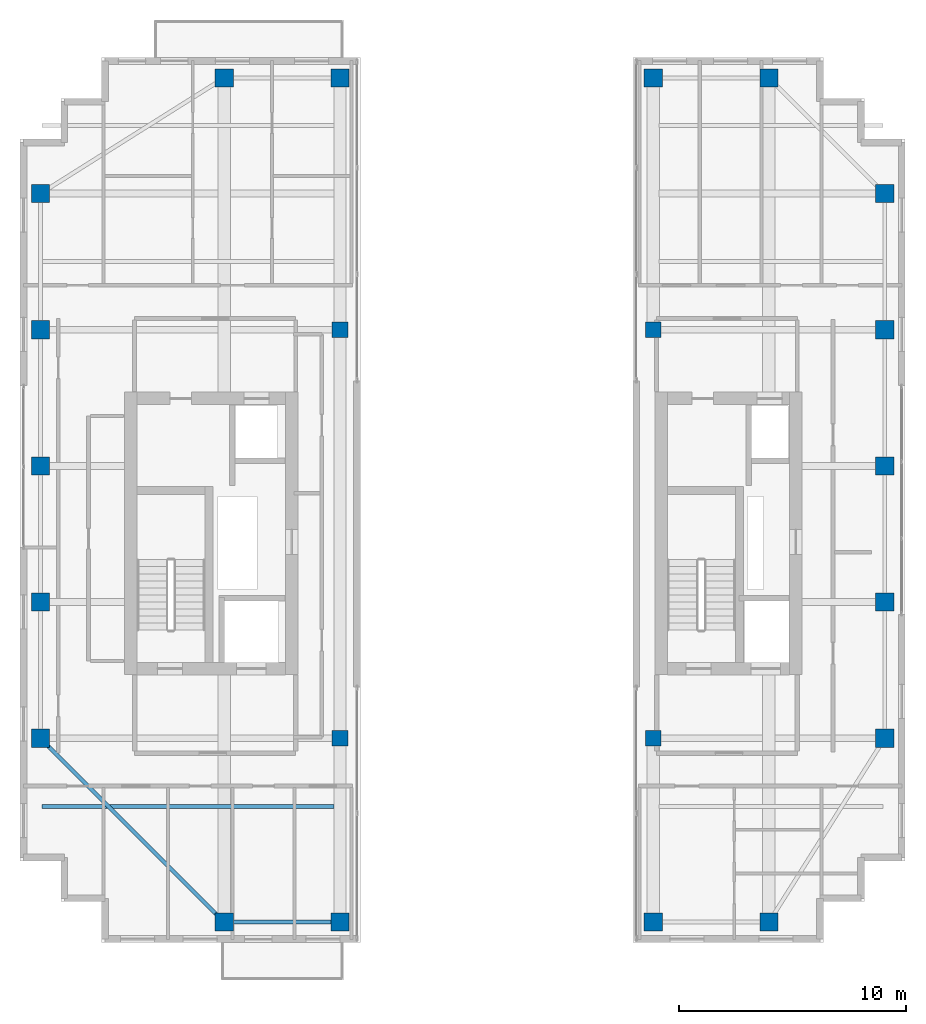
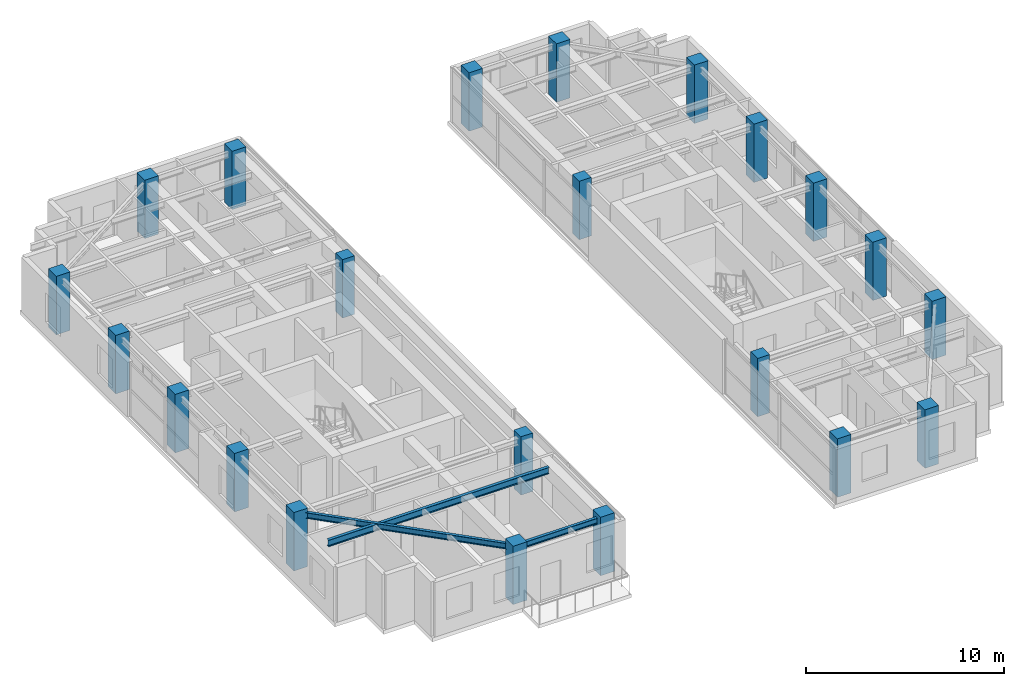
# One storey, part 1 of 22: 22 columns, 3 beams.
"""IFC4 building model written with IfcOpenShell, lengths in metres."""

from ifc_helpers import new_model, si_unit, direction, frame, origin, origin_2d, place, context, subcontext, project, spatial, rectangle, i_section, extrude, source, transform, mapped, material, material_profile, profile_set, type_object, element, save


model = new_model("IFC4")

# Units and contexts
model_context = context("Model", 3, precision=1e-05, world=origin(), true_north=direction((0.0, 1.0)))
body_context = subcontext(model_context, "Body", "Model", "MODEL_VIEW")
ifc_project = project(units=[si_unit("LENGTHUNIT", "METRE"), si_unit("AREAUNIT", "SQUARE_METRE"), si_unit("VOLUMEUNIT", "CUBIC_METRE"), si_unit("PLANEANGLEUNIT", "RADIAN"), si_unit("MASSUNIT", "GRAM", prefix="KILO")], contexts=[model_context])

# Site, building, storey
site_placement = place(None, origin())
site = spatial("IfcSite", under=ifc_project, at=site_placement, CompositionType="ELEMENT")
building_placement = place(site_placement, origin())
building = spatial("IfcBuilding", under=site, at=building_placement, Name="Khoralis Quay Care Tower", CompositionType="ELEMENT")
storey_placement = place(building_placement, frame((0.0, 0.0, 260.10009765625)))
storey = spatial("IfcBuildingStorey", under=building, at=storey_placement, Name="L68", CompositionType="ELEMENT", Elevation=260.10009765625)

# Columns
ifc_material_1 = material(Name="Concrete C50/60", Category="concrete")
ifc_material_profile_1 = material_profile(ifc_material_1, rectangle(XDim=0.800048828125, YDim=0.800048828125, at=origin_2d()), Name="Concrete C50/60")
ifc_profile_set_1 = profile_set([ifc_material_profile_1], Name="Concrete C50/60")
column_type_1 = type_object("IfcColumnType", Name="COL-C800", PredefinedType="COLUMN", material=ifc_profile_set_1)
shared_shape_1 = source(origin(), body_context, "Body", "SweptSolid", [
    extrude(rectangle(XDim=0.800048828125, YDim=0.800048828125, at=origin_2d()), origin(), (0.0, 0.0, 1.0), 3.599853515625),
])
for number, where, z_axis, x_axis, name in (
    (1, (12.0, 3.89990234375, 0.0), (0.0, 0.0, 1.0), (1.0, 0.0, 0.0), "COL-TWR-L68-01"),
    (2, (12.0, 41.10009765625, 0.0), (0.0, 0.0, 1.0), (1.0, 0.0, 0.0), "COL-TWR-L68-02"),
    (3, (17.10009765625, 3.89990234375, 0.0), (0.0, 0.0, 1.0), (1.0, 0.0, 0.0), "COL-TWR-L68-03"),
    (4, (17.10009765625, 41.10009765625, 0.0), (0.0, 0.0, 1.0), (1.0, 0.0, 0.0), "COL-TWR-L68-04"),
    (5, (30.89990234375, 3.89990234375, 0.0), (0.0, 0.0, 1.0), (1.0, 0.0, 0.0), "COL-TWR-L68-05"),
    (6, (30.89990234375, 41.10009765625, 0.0), (0.0, 0.0, 1.0), (1.0, 0.0, 0.0), "COL-TWR-L68-06"),
    (7, (36.0, 3.89990234375, 0.0), (0.0, 0.0, 1.0), (1.0, 0.0, 0.0), "COL-TWR-L68-07"),
    (8, (36.0, 41.10009765625, 0.0), (0.0, 0.0, 1.0), (1.0, 0.0, 0.0), "COL-TWR-L68-08"),
    (9, (3.89990234375, 12.0, 0.0), (0.0, 0.0, 1.0), (1.0, 0.0, 0.0), "COL-TWR-L68-09"),
    (10, (41.10009765625, 12.0, 0.0), (0.0, 0.0, 1.0), (1.0, 0.0, 0.0), "COL-TWR-L68-10"),
    (11, (3.89990234375, 18.0, 0.0), (0.0, 0.0, 1.0), (1.0, 0.0, 0.0), "COL-TWR-L68-11"),
    (12, (41.10009765625, 18.0, 0.0), (0.0, 0.0, 1.0), (1.0, 0.0, 0.0), "COL-TWR-L68-12"),
    (13, (3.89990234375, 24.0, 0.0), (0.0, 0.0, 1.0), (1.0, 0.0, 0.0), "COL-TWR-L68-13"),
    (14, (41.10009765625, 24.0, 0.0), (0.0, 0.0, 1.0), (1.0, 0.0, 0.0), "COL-TWR-L68-14"),
    (15, (3.89990234375, 30.0, 0.0), (0.0, 0.0, 1.0), (1.0, 0.0, 0.0), "COL-TWR-L68-15"),
    (16, (41.10009765625, 30.0, 0.0), (0.0, 0.0, 1.0), (1.0, 0.0, 0.0), "COL-TWR-L68-16"),
    (17, (3.89990234375, 36.0, 0.0), (0.0, 0.0, 1.0), (1.0, 0.0, 0.0), "COL-TWR-L68-17"),
    (18, (41.10009765625, 36.0, 0.0), (0.0, 0.0, 1.0), (1.0, 0.0, 0.0), "COL-TWR-L68-18"),
):
    element("IfcColumn", number, at=place(storey_placement, frame(where, z_axis=z_axis, x_axis=x_axis)), inside=storey, type_object=column_type_1, Name=name, PredefinedType="COLUMN", context=body_context, shape_type="MappedRepresentation", body=[
        mapped(shared_shape_1, transform((0.0, 0.0, 0.0), scale=1.0)),
    ])
ifc_material_profile_2 = material_profile(ifc_material_1, rectangle(XDim=0.699951171875, YDim=0.699951171875, at=origin_2d()), Name="Concrete C50/60")
ifc_profile_set_2 = profile_set([ifc_material_profile_2], Name="Concrete C50/60")
column_type_2 = type_object("IfcColumnType", Name="COL-C700", PredefinedType="COLUMN", material=ifc_profile_set_2)
shared_shape_2 = source(origin(), body_context, "Body", "SweptSolid", [
    extrude(rectangle(XDim=0.699951171875, YDim=0.699951171875, at=origin_2d()), origin(), (0.0, 0.0, 1.0), 3.599853515625),
])
for number, where, z_axis, x_axis, name in (
    (19, (17.10009765625, 12.0, 0.0), (0.0, 0.0, 1.0), (1.0, 0.0, 0.0), "COL-TWR-L68-19"),
    (20, (17.10009765625, 30.0, 0.0), (0.0, 0.0, 1.0), (1.0, 0.0, 0.0), "COL-TWR-L68-20"),
    (21, (30.89990234375, 12.0, 0.0), (0.0, 0.0, 1.0), (1.0, 0.0, 0.0), "COL-TWR-L68-21"),
    (22, (30.89990234375, 30.0, 0.0), (0.0, 0.0, 1.0), (1.0, 0.0, 0.0), "COL-TWR-L68-22"),
):
    element("IfcColumn", number, at=place(storey_placement, frame(where, z_axis=z_axis, x_axis=x_axis)), inside=storey, type_object=column_type_2, Name=name, PredefinedType="COLUMN", context=body_context, shape_type="MappedRepresentation", body=[
        mapped(shared_shape_2, transform((0.0, 0.0, 0.0), scale=1.0)),
    ])

# Beams
ifc_material_2 = material(Name="Steel S355", Category="steel")
ifc_material_profile_3 = material_profile(ifc_material_2, i_section(OverallWidth=0.169921875, OverallDepth=0.360107421875, WebThickness=0.008056640625, FlangeThickness=0.0126953125, FilletRadius=0.01806640625, at=origin_2d()), Name="Steel S355")
ifc_profile_set_3 = profile_set([ifc_material_profile_3], Name="Steel S355")
beam_type_1 = type_object("IfcBeamType", Name="BM-IPE360", PredefinedType="SPANDREL", material=ifc_profile_set_3)
shared_shape_3 = source(origin(), body_context, "Body", "SweptSolid", [
    extrude(i_section(OverallWidth=0.169921875, OverallDepth=0.360107421875, WebThickness=0.008056640625, FlangeThickness=0.0126953125, FilletRadius=0.01806640625, at=origin_2d()), origin(), (0.0, 0.0, 1.0), 5.10009765625),
])
beam_1_placement = place(storey_placement, frame((12.0, 3.89990234375, 3.179931640625), z_axis=(1.0, 0.0, 0.0), x_axis=(0.0, 1.0, 0.0)))
element("IfcBeam", 23, at=beam_1_placement, inside=storey, type_object=beam_type_1, Name="BM-TSP-L68-01", PredefinedType="SPANDREL", context=body_context, shape_type="MappedRepresentation", body=[
    mapped(shared_shape_3, transform((0.0, 0.0, 0.0), scale=1.0)),
])
shared_shape_4 = source(origin(), body_context, "Body", "SweptSolid", [
    extrude(i_section(OverallWidth=0.169921875, OverallDepth=0.360107421875, WebThickness=0.008056640625, FlangeThickness=0.0126953125, FilletRadius=0.01806640625, at=origin_2d()), origin(), (0.0, 0.0, 1.0), 11.455322265625),
])
beam_2_placement = place(storey_placement, frame((12.0, 3.89990234375, 3.179931640625), z_axis=(-0.707106781187, 0.707106781187, 0.0), x_axis=(-0.707106781187, -0.707106781187, 0.0)))
element("IfcBeam", 24, at=beam_2_placement, inside=storey, type_object=beam_type_1, Name="BM-TCR-L68-13", PredefinedType="SPANDREL", context=body_context, shape_type="MappedRepresentation", body=[
    mapped(shared_shape_4, transform((0.0, 0.0, 0.0), scale=1.0)),
])
ifc_material_profile_4 = material_profile(ifc_material_2, i_section(OverallWidth=0.177978515625, OverallDepth=0.406982421875, WebThickness=0.0078125, FlangeThickness=0.0126953125, FilletRadius=0.012939453125, at=origin_2d()), Name="Steel S355")
ifc_profile_set_4 = profile_set([ifc_material_profile_4], Name="Steel S355")
beam_type_2 = type_object("IfcBeamType", Name="BM-W410X60", PredefinedType="JOIST", material=ifc_profile_set_4)
shared_shape_5 = source(origin(), body_context, "Body", "SweptSolid", [
    extrude(i_section(OverallWidth=0.177978515625, OverallDepth=0.406982421875, WebThickness=0.0078125, FlangeThickness=0.0126953125, FilletRadius=0.012939453125, at=origin_2d()), origin(), (0.0, 0.0, 1.0), 12.865966796875),
])
beam_3_placement = place(storey_placement, frame((3.970947265625, 9.0, 3.156494140625), z_axis=(1.0, 0.0, 0.0), x_axis=(0.0, 1.0, 0.0)))
element("IfcBeam", 25, at=beam_3_placement, inside=storey, type_object=beam_type_2, Name="BM-TJS-L68-17", PredefinedType="JOIST", context=body_context, shape_type="MappedRepresentation", body=[
    mapped(shared_shape_5, transform((0.0, 0.0, 0.0), scale=1.0)),
])

save(model, "model.ifc")
